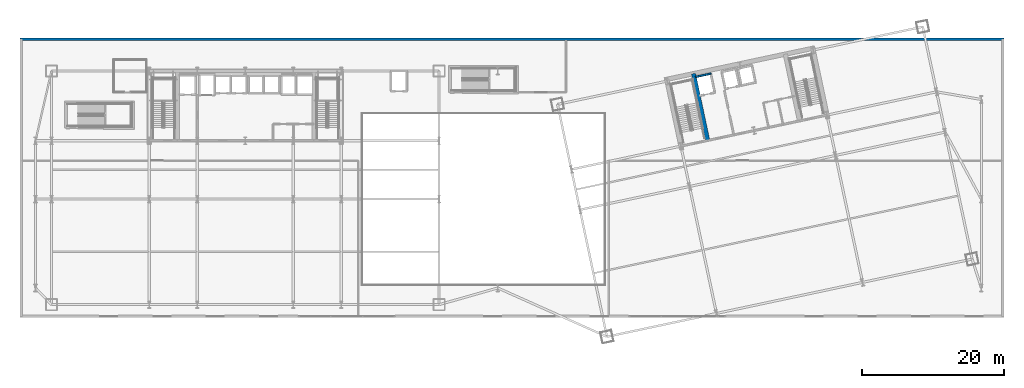
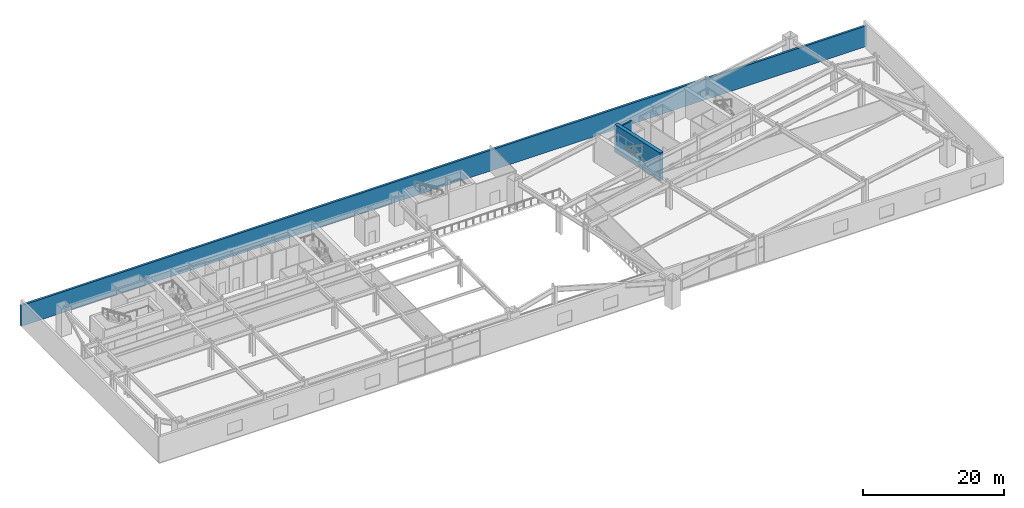
# One storey, part 15 of 25: 3 walls.
"""IFC4 building model written with IfcOpenShell, lengths in metres."""

from ifc_helpers import new_model, si_unit, direction, frame, frame_2d, origin, place, context, subcontext, project, spatial, rectangle, extrude, material, layer, layer_set, type_object, element, save


model = new_model("IFC4")

# Units and contexts
model_context = context("Model", 3, precision=1e-05, world=origin(), true_north=direction((0.0, 1.0)))
body_context = subcontext(model_context, "Body", "Model", "MODEL_VIEW")
ifc_project = project(units=[si_unit("LENGTHUNIT", "METRE"), si_unit("AREAUNIT", "SQUARE_METRE"), si_unit("VOLUMEUNIT", "CUBIC_METRE"), si_unit("PLANEANGLEUNIT", "RADIAN"), si_unit("MASSUNIT", "GRAM", prefix="KILO")], contexts=[model_context])

# Site, building, storey
site_placement = place(None, origin())
site = spatial("IfcSite", under=ifc_project, at=site_placement, CompositionType="ELEMENT")
building_placement = place(site_placement, origin())
building = spatial("IfcBuilding", under=site, at=building_placement, Name="Haevon Station Towers", CompositionType="ELEMENT")
storey_placement = place(building_placement, frame((0.0, 0.0, 6.0)))
storey = spatial("IfcBuildingStorey", under=building, at=storey_placement, Name="L01", CompositionType="ELEMENT", Elevation=6.0)

# Walls
ifc_material_1 = material(Name="Concrete C60/75", Category="concrete")
ifc_layer_1 = layer(ifc_material_1, 0.60009765625)
ifc_layer_set_1 = layer_set([ifc_layer_1], Name="Concrete C60/75")
wall_type_1 = type_object("IfcWallType", Name="WL-CR600", PredefinedType="SHEAR", material=ifc_layer_set_1)
wall_1_placement = place(storey_placement, frame((102.518310546875, 38.242919921875, 0.0), z_axis=(0.0, 0.0, 1.0), x_axis=(-0.207927495108, 0.978144241295, 0.0)))
element("IfcWall", 1, at=wall_1_placement, inside=storey, type_object=wall_type_1, Name="WL-T2CR-L01-M1", PredefinedType="SHEAR", context=body_context, shape_type="SweptSolid", body=[
    extrude(rectangle(XDim=9.599853515625, YDim=0.60009765625, at=frame_2d((4.7998046875, 0.0))), origin(), (0.0, 0.0, 1.0), 4.800048828125),
])
ifc_material_2 = material(Name="Precast concrete C45/55", Category="concrete")
ifc_layer_2 = layer(ifc_material_2, 0.360107421875)
ifc_layer_set_2 = layer_set([ifc_layer_2], Name="Precast concrete C45/55")
wall_type_2 = type_object("IfcWallType", Name="WL-EXT-POD360", PredefinedType="SOLIDWALL", material=ifc_layer_set_2)
wall_2_placement = place(storey_placement, frame((5.820068359375, 52.5, 0.0), z_axis=(0.0, 0.0, 1.0), x_axis=(1.0, 0.0, 0.0)))
element("IfcWall", 2, at=wall_2_placement, inside=storey, type_object=wall_type_2, Name="WL-POD-L01-N", PredefinedType="SOLIDWALL", context=body_context, shape_type="SweptSolid", body=[
    extrude(rectangle(XDim=138.35986328125, YDim=0.360107421875, at=frame_2d((69.179931640625, 0.0))), origin(), (0.0, 0.0, 1.0), 3.580078125),
])
ifc_material_3 = material(Name="Concrete C40/50", Category="concrete")
ifc_layer_3 = layer(ifc_material_3, 0.239990234375)
ifc_layer_set_3 = layer_set([ifc_layer_3], Name="Concrete C40/50")
wall_type_3 = type_object("IfcWallType", Name="WL-SHF240", PredefinedType="PARTITIONING", material=ifc_layer_set_3)
wall_3_placement = place(storey_placement, frame((100.79248046875, 47.179443359375, 0.0), z_axis=(0.0, 0.0, 1.0), x_axis=(0.978162968872, 0.207839376268, 0.0)))
element("IfcWall", 3, at=wall_3_placement, inside=storey, type_object=wall_type_3, Name="WL-SHF-FL2-L01-N", PredefinedType="PARTITIONING", context=body_context, shape_type="SweptSolid", body=[
    extrude(rectangle(XDim=2.260009765625, YDim=0.239990234375, at=frame_2d((1.1298828125, 0.0))), origin(), (0.0, 0.0, 1.0), 4.47998046875),
])

save(model, "model.ifc")
